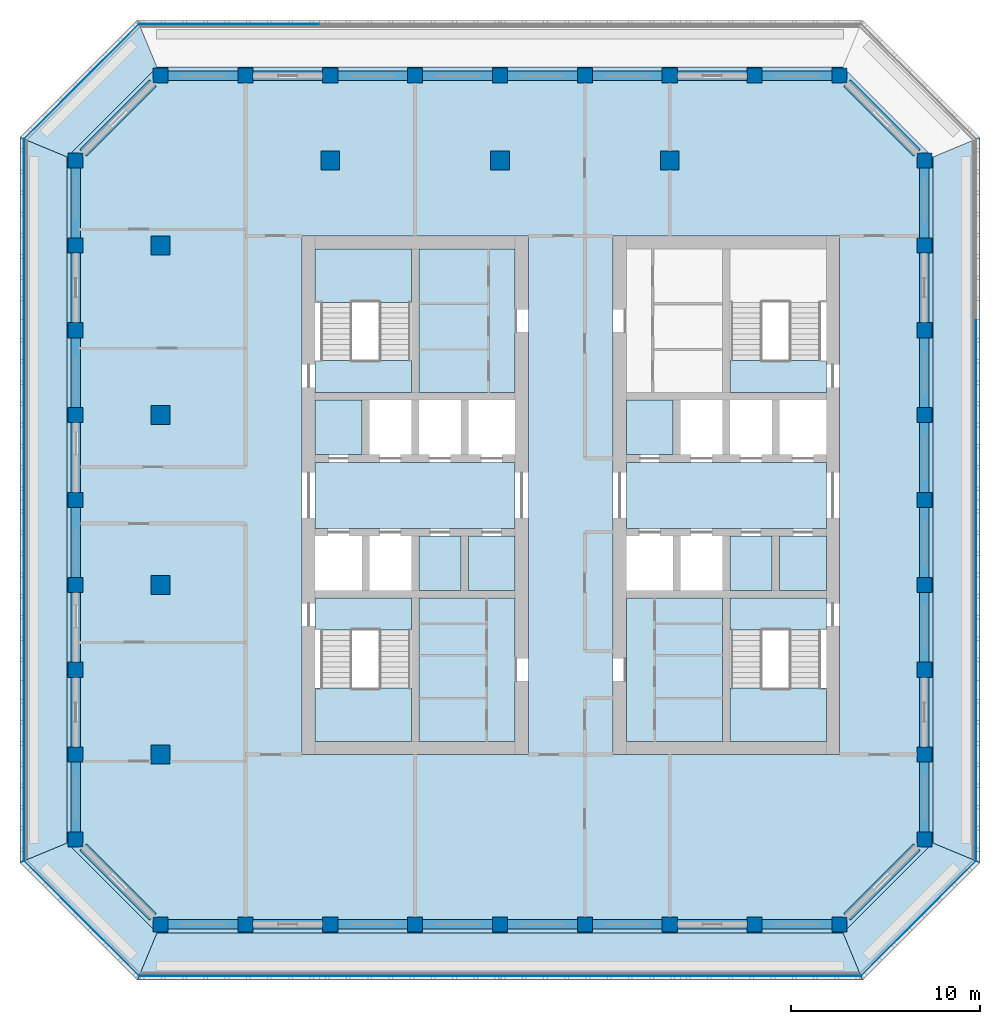
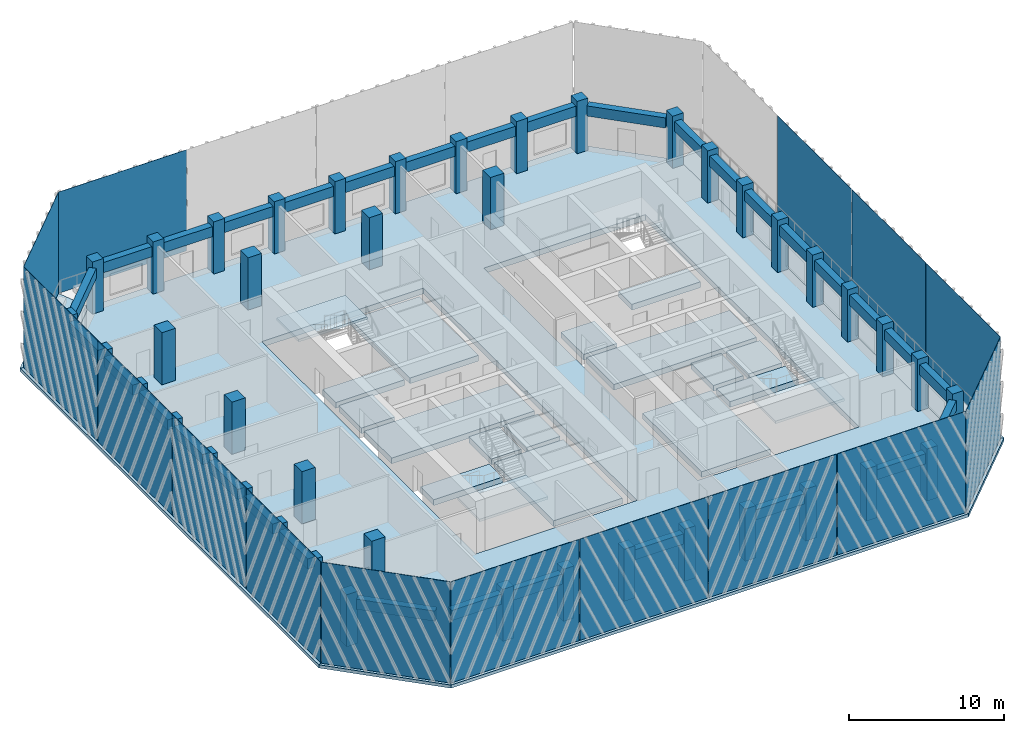
# One storey, part 1 of 15: 43 columns, 36 beams, 25 slabs, 15 plates, 3 elements without a shape of their own.
"""IFC4 building model written with IfcOpenShell, lengths in metres."""

from ifc_helpers import new_model, si_unit, direction, frame, origin, origin_2d, place, context, subcontext, project, spatial, polyline, rectangle, outline, extrude, material, layer, layer_set, material_profile, profile_set, type_object, element, aggregate, save


model = new_model("IFC4")

# Units and contexts
model_context = context("Model", 3, precision=1e-05, world=origin(), true_north=direction((0.0, 1.0)))
body_context = subcontext(model_context, "Body", "Model", "MODEL_VIEW")
ifc_project = project(units=[si_unit("LENGTHUNIT", "METRE"), si_unit("AREAUNIT", "SQUARE_METRE"), si_unit("VOLUMEUNIT", "CUBIC_METRE"), si_unit("PLANEANGLEUNIT", "RADIAN"), si_unit("MASSUNIT", "GRAM", prefix="KILO")], contexts=[model_context])

# Site, building, storey
site_placement = place(None, origin())
site = spatial("IfcSite", under=ifc_project, at=site_placement, CompositionType="ELEMENT")
building_placement = place(site_placement, origin())
building = spatial("IfcBuilding", under=site, at=building_placement, Name="Corbel Stack Research Tower", CompositionType="ELEMENT")
storey_placement = place(building_placement, frame((0.0, 0.0, 282.699951171875)))
storey = spatial("IfcBuildingStorey", under=building, at=storey_placement, Name="L64", CompositionType="ELEMENT", Elevation=282.699951171875)

# Columns
ifc_material_1 = material(Name="Concrete C60/75", Category="concrete")
ifc_material_profile_1 = material_profile(ifc_material_1, rectangle(XDim=1.0, YDim=1.0, at=origin_2d()), Name="RC 1000 x 1000")
ifc_profile_set_1 = profile_set([ifc_material_profile_1], Name="Concrete C60/75")
column_type_1 = type_object("IfcColumnType", Name="C-1000-60", PredefinedType="COLUMN", material=ifc_profile_set_1)
for number, where, z_axis, x_axis, name in (
    (1, (-18.0, -9.0, 0.0), (0.0, 0.0, 1.0), (1.0, 0.0, 0.0), "Column 4/F L64"),
    (2, (-18.0, 0.0, 0.0), (0.0, 0.0, 1.0), (1.0, 0.0, 0.0), "Column 4/H L64"),
    (3, (-18.0, 9.0, 0.0), (0.0, 0.0, 1.0), (1.0, 0.0, 0.0), "Column 4/K L64"),
    (4, (-18.0, 18.0, 0.0), (0.0, 0.0, 1.0), (1.0, 0.0, 0.0), "Column 4/M L64"),
    (5, (-9.0, 22.5, 0.0), (0.0, 0.0, 1.0), (1.0, 0.0, 0.0), "Column 6/N L64"),
    (6, (0.0, 22.5, 0.0), (0.0, 0.0, 1.0), (1.0, 0.0, 0.0), "Column 8/N L64"),
    (7, (9.0, 22.5, 0.0), (0.0, 0.0, 1.0), (1.0, 0.0, 0.0), "Column 10/N L64"),
):
    element("IfcColumn", number, at=place(storey_placement, frame(where, z_axis=z_axis, x_axis=x_axis)), inside=storey, type_object=column_type_1, Name=name, PredefinedType="COLUMN", context=body_context, shape_type="SweptSolid", body=[
        extrude(rectangle(XDim=1.0, YDim=1.0, at=origin_2d()), origin(), (0.0, 0.0, 1.0), 4.10009765625),
    ])
ifc_material_2 = material(Name="Concrete C60/75", Category="concrete")
ifc_material_profile_2 = material_profile(ifc_material_2, rectangle(XDim=0.800048828125, YDim=0.800048828125, at=origin_2d()), Name="RC 800 x 800")
ifc_profile_set_2 = profile_set([ifc_material_profile_2], Name="Concrete C60/75")
column_type_2 = type_object("IfcColumnType", Name="C-800-60", PredefinedType="COLUMN", material=ifc_profile_set_2)
for number, where, z_axis, x_axis, name in (
    (8, (-22.5, -13.5, 0.0), (0.0, 0.0, 1.0), (1.0, 0.0, 0.0), "Column 3/E L64"),
    (9, (-22.5, -9.0, 0.0), (0.0, 0.0, 1.0), (1.0, 0.0, 0.0), "Column 3/F L64"),
    (10, (-22.5, -4.5, 0.0), (0.0, 0.0, 1.0), (1.0, 0.0, 0.0), "Column 3/G L64"),
    (11, (-22.5, 0.0, 0.0), (0.0, 0.0, 1.0), (1.0, 0.0, 0.0), "Column 3/H L64"),
    (12, (-22.5, 4.5, 0.0), (0.0, 0.0, 1.0), (1.0, 0.0, 0.0), "Column 3/J L64"),
    (13, (-22.5, 9.0, 0.0), (0.0, 0.0, 1.0), (1.0, 0.0, 0.0), "Column 3/K L64"),
    (14, (-22.5, 13.5, 0.0), (0.0, 0.0, 1.0), (1.0, 0.0, 0.0), "Column 3/L L64"),
    (15, (-22.5, 18.0, 0.0), (0.0, 0.0, 1.0), (1.0, 0.0, 0.0), "Column 3/M L64"),
    (16, (-22.5, 22.5, 0.0), (0.0, 0.0, 1.0), (1.0, 0.0, 0.0), "Column 3/N L64"),
    (17, (-18.0, -18.0, 0.0), (0.0, 0.0, 1.0), (1.0, 0.0, 0.0), "Column 4/D L64"),
    (18, (-18.0, 27.0, 0.0), (0.0, 0.0, 1.0), (1.0, 0.0, 0.0), "Column 4/P L64"),
    (19, (-13.5, -18.0, 0.0), (0.0, 0.0, 1.0), (1.0, 0.0, 0.0), "Column 5/D L64"),
    (20, (-13.5, 27.0, 0.0), (0.0, 0.0, 1.0), (1.0, 0.0, 0.0), "Column 5/P L64"),
    (21, (-9.0, -18.0, 0.0), (0.0, 0.0, 1.0), (1.0, 0.0, 0.0), "Column 6/D L64"),
    (22, (-9.0, 27.0, 0.0), (0.0, 0.0, 1.0), (1.0, 0.0, 0.0), "Column 6/P L64"),
    (23, (-4.5, -18.0, 0.0), (0.0, 0.0, 1.0), (1.0, 0.0, 0.0), "Column 7/D L64"),
    (24, (-4.5, 27.0, 0.0), (0.0, 0.0, 1.0), (1.0, 0.0, 0.0), "Column 7/P L64"),
    (25, (0.0, -18.0, 0.0), (0.0, 0.0, 1.0), (1.0, 0.0, 0.0), "Column 8/D L64"),
    (26, (0.0, 27.0, 0.0), (0.0, 0.0, 1.0), (1.0, 0.0, 0.0), "Column 8/P L64"),
    (27, (4.5, -18.0, 0.0), (0.0, 0.0, 1.0), (1.0, 0.0, 0.0), "Column 9/D L64"),
    (28, (4.5, 27.0, 0.0), (0.0, 0.0, 1.0), (1.0, 0.0, 0.0), "Column 9/P L64"),
    (29, (9.0, -18.0, 0.0), (0.0, 0.0, 1.0), (1.0, 0.0, 0.0), "Column 10/D L64"),
    (30, (9.0, 27.0, 0.0), (0.0, 0.0, 1.0), (1.0, 0.0, 0.0), "Column 10/P L64"),
    (31, (13.5, -18.0, 0.0), (0.0, 0.0, 1.0), (1.0, 0.0, 0.0), "Column 11/D L64"),
    (32, (13.5, 27.0, 0.0), (0.0, 0.0, 1.0), (1.0, 0.0, 0.0), "Column 11/P L64"),
    (33, (18.0, -18.0, 0.0), (0.0, 0.0, 1.0), (1.0, 0.0, 0.0), "Column 12/D L64"),
    (34, (18.0, 27.0, 0.0), (0.0, 0.0, 1.0), (1.0, 0.0, 0.0), "Column 12/P L64"),
    (35, (22.5, -13.5, 0.0), (0.0, 0.0, 1.0), (1.0, 0.0, 0.0), "Column 13/E L64"),
    (36, (22.5, -9.0, 0.0), (0.0, 0.0, 1.0), (1.0, 0.0, 0.0), "Column 13/F L64"),
    (37, (22.5, -4.5, 0.0), (0.0, 0.0, 1.0), (1.0, 0.0, 0.0), "Column 13/G L64"),
    (38, (22.5, 0.0, 0.0), (0.0, 0.0, 1.0), (1.0, 0.0, 0.0), "Column 13/H L64"),
    (39, (22.5, 4.5, 0.0), (0.0, 0.0, 1.0), (1.0, 0.0, 0.0), "Column 13/J L64"),
    (40, (22.5, 9.0, 0.0), (0.0, 0.0, 1.0), (1.0, 0.0, 0.0), "Column 13/K L64"),
    (41, (22.5, 13.5, 0.0), (0.0, 0.0, 1.0), (1.0, 0.0, 0.0), "Column 13/L L64"),
    (42, (22.5, 18.0, 0.0), (0.0, 0.0, 1.0), (1.0, 0.0, 0.0), "Column 13/M L64"),
    (43, (22.5, 22.5, 0.0), (0.0, 0.0, 1.0), (1.0, 0.0, 0.0), "Column 13/N L64"),
):
    element("IfcColumn", number, at=place(storey_placement, frame(where, z_axis=z_axis, x_axis=x_axis)), inside=storey, type_object=column_type_2, Name=name, PredefinedType="COLUMN", context=body_context, shape_type="SweptSolid", body=[
        extrude(rectangle(XDim=0.800048828125, YDim=0.800048828125, at=origin_2d()), origin(), (0.0, 0.0, 1.0), 4.10009765625),
    ])

# Beams
ifc_material_3 = material(Name="Concrete C60/75", Category="concrete")
ifc_material_profile_3 = material_profile(ifc_material_3, rectangle(XDim=0.5, YDim=0.800048828125, at=origin_2d()), Name="RC 500 x 800")
ifc_profile_set_3 = profile_set([ifc_material_profile_3], Name="Concrete C60/75")
beam_type = type_object("IfcBeamType", Name="SB-500-800-450", PredefinedType="SPANDREL", material=ifc_profile_set_3)
for number, where, z_axis, x_axis, name in (
    (44, (-17.60009765625, -18.0, 3.25), (1.0, 0.0, 0.0), (0.0, 1.0, 0.0), "Spandrel beam L64-01"),
    (45, (-13.10009765625, -18.0, 3.25), (1.0, 0.0, 0.0), (0.0, 1.0, 0.0), "Spandrel beam L64-02"),
    (46, (-8.60009765625, -18.0, 3.25), (1.0, 0.0, 0.0), (0.0, 1.0, 0.0), "Spandrel beam L64-03"),
    (47, (-4.10009765625, -18.0, 3.25), (1.0, 0.0, 0.0), (0.0, 1.0, 0.0), "Spandrel beam L64-04"),
    (48, (0.39990234375, -18.0, 3.25), (1.0, 0.0, 0.0), (0.0, 1.0, 0.0), "Spandrel beam L64-05"),
    (49, (4.89990234375, -18.0, 3.25), (1.0, 0.0, 0.0), (0.0, 1.0, 0.0), "Spandrel beam L64-06"),
    (50, (9.39990234375, -18.0, 3.25), (1.0, 0.0, 0.0), (0.0, 1.0, 0.0), "Spandrel beam L64-07"),
    (51, (13.89990234375, -18.0, 3.25), (1.0, 0.0, 0.0), (0.0, 1.0, 0.0), "Spandrel beam L64-08"),
):
    element("IfcBeam", number, at=place(storey_placement, frame(where, z_axis=z_axis, x_axis=x_axis)), inside=storey, type_object=beam_type, Name=name, PredefinedType="SPANDREL", context=body_context, shape_type="SweptSolid", body=[
        extrude(rectangle(XDim=0.5, YDim=0.800048828125, at=origin_2d()), origin(), (0.0, 0.0, 1.0), 3.7001953125),
    ])
beam_1_placement = place(storey_placement, frame((18.39990234375, -17.60009765625, 3.25), z_axis=(0.707106781187, 0.707106781187, 0.0), x_axis=(-0.707106781187, 0.707106781187, 0.0)))
element("IfcBeam", 52, at=beam_1_placement, inside=storey, type_object=beam_type, Name="Spandrel beam L64-09", PredefinedType="SPANDREL", context=body_context, shape_type="SweptSolid", body=[
    extrude(rectangle(XDim=0.5, YDim=0.800048828125, at=origin_2d()), origin(), (0.0, 0.0, 1.0), 5.23291015625),
])
for number, where, z_axis, x_axis, name in (
    (53, (22.5, -13.10009765625, 3.25), (0.0, 1.0, 0.0), (-1.0, 0.0, 0.0), "Spandrel beam L64-10"),
    (54, (22.5, -8.60009765625, 3.25), (0.0, 1.0, 0.0), (-1.0, 0.0, 0.0), "Spandrel beam L64-11"),
    (55, (22.5, -4.10009765625, 3.25), (0.0, 1.0, 0.0), (-1.0, 0.0, 0.0), "Spandrel beam L64-12"),
    (56, (22.5, 0.39990234375, 3.25), (0.0, 1.0, 0.0), (-1.0, 0.0, 0.0), "Spandrel beam L64-13"),
    (57, (22.5, 4.89990234375, 3.25), (0.0, 1.0, 0.0), (-1.0, 0.0, 0.0), "Spandrel beam L64-14"),
    (58, (22.5, 9.39990234375, 3.25), (0.0, 1.0, 0.0), (-1.0, 0.0, 0.0), "Spandrel beam L64-15"),
    (59, (22.5, 13.89990234375, 3.25), (0.0, 1.0, 0.0), (-1.0, 0.0, 0.0), "Spandrel beam L64-16"),
    (60, (22.5, 18.39990234375, 3.25), (0.0, 1.0, 0.0), (-1.0, 0.0, 0.0), "Spandrel beam L64-17"),
):
    element("IfcBeam", number, at=place(storey_placement, frame(where, z_axis=z_axis, x_axis=x_axis)), inside=storey, type_object=beam_type, Name=name, PredefinedType="SPANDREL", context=body_context, shape_type="SweptSolid", body=[
        extrude(rectangle(XDim=0.5, YDim=0.800048828125, at=origin_2d()), origin(), (0.0, 0.0, 1.0), 3.7001953125),
    ])
beam_2_placement = place(storey_placement, frame((22.10009765625, 22.89990234375, 3.25), z_axis=(-0.707106781187, 0.707106781187, 0.0), x_axis=(-0.707106781187, -0.707106781187, 0.0)))
element("IfcBeam", 61, at=beam_2_placement, inside=storey, type_object=beam_type, Name="Spandrel beam L64-18", PredefinedType="SPANDREL", context=body_context, shape_type="SweptSolid", body=[
    extrude(rectangle(XDim=0.5, YDim=0.800048828125, at=origin_2d()), origin(), (0.0, 0.0, 1.0), 5.23291015625),
])
for number, where, z_axis, x_axis, name in (
    (62, (17.60009765625, 27.0, 3.25), (-1.0, 0.0, 0.0), (0.0, -1.0, 0.0), "Spandrel beam L64-19"),
    (63, (13.10009765625, 27.0, 3.25), (-1.0, 0.0, 0.0), (0.0, -1.0, 0.0), "Spandrel beam L64-20"),
    (64, (8.60009765625, 27.0, 3.25), (-1.0, 0.0, 0.0), (0.0, -1.0, 0.0), "Spandrel beam L64-21"),
    (65, (4.10009765625, 27.0, 3.25), (-1.0, 0.0, 0.0), (0.0, -1.0, 0.0), "Spandrel beam L64-22"),
    (66, (-0.39990234375, 27.0, 3.25), (-1.0, 0.0, 0.0), (0.0, -1.0, 0.0), "Spandrel beam L64-23"),
    (67, (-4.89990234375, 27.0, 3.25), (-1.0, 0.0, 0.0), (0.0, -1.0, 0.0), "Spandrel beam L64-24"),
    (68, (-9.39990234375, 27.0, 3.25), (-1.0, 0.0, 0.0), (0.0, -1.0, 0.0), "Spandrel beam L64-25"),
    (69, (-13.89990234375, 27.0, 3.25), (-1.0, 0.0, 0.0), (0.0, -1.0, 0.0), "Spandrel beam L64-26"),
):
    element("IfcBeam", number, at=place(storey_placement, frame(where, z_axis=z_axis, x_axis=x_axis)), inside=storey, type_object=beam_type, Name=name, PredefinedType="SPANDREL", context=body_context, shape_type="SweptSolid", body=[
        extrude(rectangle(XDim=0.5, YDim=0.800048828125, at=origin_2d()), origin(), (0.0, 0.0, 1.0), 3.7001953125),
    ])
beam_3_placement = place(storey_placement, frame((-18.39990234375, 26.60009765625, 3.25), z_axis=(-0.707106781187, -0.707106781187, 0.0), x_axis=(0.707106781187, -0.707106781187, 0.0)))
element("IfcBeam", 70, at=beam_3_placement, inside=storey, type_object=beam_type, Name="Spandrel beam L64-27", PredefinedType="SPANDREL", context=body_context, shape_type="SweptSolid", body=[
    extrude(rectangle(XDim=0.5, YDim=0.800048828125, at=origin_2d()), origin(), (0.0, 0.0, 1.0), 5.23291015625),
])
for number, where, z_axis, x_axis, name in (
    (71, (-22.5, 22.10009765625, 3.25), (0.0, -1.0, 0.0), (1.0, 0.0, 0.0), "Spandrel beam L64-28"),
    (72, (-22.5, 17.60009765625, 3.25), (0.0, -1.0, 0.0), (1.0, 0.0, 0.0), "Spandrel beam L64-29"),
    (73, (-22.5, 13.10009765625, 3.25), (0.0, -1.0, 0.0), (1.0, 0.0, 0.0), "Spandrel beam L64-30"),
    (74, (-22.5, 8.60009765625, 3.25), (0.0, -1.0, 0.0), (1.0, 0.0, 0.0), "Spandrel beam L64-31"),
    (75, (-22.5, 4.10009765625, 3.25), (0.0, -1.0, 0.0), (1.0, 0.0, 0.0), "Spandrel beam L64-32"),
    (76, (-22.5, -0.39990234375, 3.25), (0.0, -1.0, 0.0), (1.0, 0.0, 0.0), "Spandrel beam L64-33"),
    (77, (-22.5, -4.89990234375, 3.25), (0.0, -1.0, 0.0), (1.0, 0.0, 0.0), "Spandrel beam L64-34"),
    (78, (-22.5, -9.39990234375, 3.25), (0.0, -1.0, 0.0), (1.0, 0.0, 0.0), "Spandrel beam L64-35"),
):
    element("IfcBeam", number, at=place(storey_placement, frame(where, z_axis=z_axis, x_axis=x_axis)), inside=storey, type_object=beam_type, Name=name, PredefinedType="SPANDREL", context=body_context, shape_type="SweptSolid", body=[
        extrude(rectangle(XDim=0.5, YDim=0.800048828125, at=origin_2d()), origin(), (0.0, 0.0, 1.0), 3.7001953125),
    ])
beam_4_placement = place(storey_placement, frame((-22.10009765625, -13.89990234375, 3.25), z_axis=(0.707106781187, -0.707106781187, 0.0), x_axis=(0.707106781187, 0.707106781187, 0.0)))
element("IfcBeam", 79, at=beam_4_placement, inside=storey, type_object=beam_type, Name="Spandrel beam L64-36", PredefinedType="SPANDREL", context=body_context, shape_type="SweptSolid", body=[
    extrude(rectangle(XDim=0.5, YDim=0.800048828125, at=origin_2d()), origin(), (0.0, 0.0, 1.0), 5.23291015625),
])

# Plates
ifc_material_4 = material(Name="Fritted glass", Category="glass")
ifc_layer_1 = layer(ifc_material_4, 0.02490234375)
ifc_layer_set_1 = layer_set([ifc_layer_1], Name="Fritted glass")
plate_type = type_object("IfcPlateType", Name="Fritted glass panel 25", PredefinedType="SHEET", material=ifc_layer_set_1)
for number, where, z_axis, x_axis, name in (
    (80, (-14.354248046875, -20.737548828125, 0.0), (0.0, 0.0, 1.0), (1.0, 0.0, 0.0), "Fritted glass L64 S1"),
    (81, (-4.784912109375, -20.737548828125, 0.0), (0.0, 0.0, 1.0), (1.0, 0.0, 0.0), "Fritted glass L64 S2"),
    (82, (4.784912109375, -20.737548828125, 0.0), (0.0, 0.0, 1.0), (1.0, 0.0, 0.0), "Fritted glass L64 S3"),
    (83, (14.354248046875, -20.737548828125, 0.0), (0.0, 0.0, 1.0), (1.0, 0.0, 0.0), "Fritted glass L64 S4"),
):
    element("IfcPlate", number, at=place(storey_placement, frame(where, z_axis=z_axis, x_axis=x_axis)), inside=storey, type_object=plate_type, Name=name, PredefinedType="SHEET", context=body_context, shape_type="SweptSolid", body=[
        extrude(rectangle(XDim=9.509521484375, YDim=0.02490234375, at=origin_2d()), origin(), (0.0, 0.0, 1.0), 7.949951171875),
    ])
plate_1_placement = place(storey_placement, frame((22.185791015625, -17.685791015625, 0.0), z_axis=(0.0, 0.0, 1.0), x_axis=(0.707106781187, 0.707106781187, 0.0)))
element("IfcPlate", 84, at=plate_1_placement, inside=storey, type_object=plate_type, Name="Fritted glass L64 SE1", PredefinedType="SHEET", context=body_context, shape_type="SweptSolid", body=[
    extrude(rectangle(XDim=8.58203125, YDim=0.02490234375, at=origin_2d()), origin(), (0.0, 0.0, 1.0), 7.949951171875),
])
for number, where, z_axis, x_axis, name in (
    (85, (25.237548828125, -9.854248046875, 0.0), (0.0, 0.0, 1.0), (0.0, 1.0, 0.0), "Fritted glass L64 E1"),
    (86, (25.237548828125, -0.284912109375, 0.0), (0.0, 0.0, 1.0), (0.0, 1.0, 0.0), "Fritted glass L64 E2"),
    (87, (25.237548828125, 9.284912109375, 0.0), (0.0, 0.0, 1.0), (0.0, 1.0, 0.0), "Fritted glass L64 E3"),
    (88, (-14.354248046875, 29.737548828125, 0.0), (0.0, 0.0, 1.0), (-1.0, 0.0, 0.0), "Fritted glass L64 N4"),
):
    element("IfcPlate", number, at=place(storey_placement, frame(where, z_axis=z_axis, x_axis=x_axis)), inside=storey, type_object=plate_type, Name=name, PredefinedType="SHEET", context=body_context, shape_type="SweptSolid", body=[
        extrude(rectangle(XDim=9.509521484375, YDim=0.02490234375, at=origin_2d()), origin(), (0.0, 0.0, 1.0), 7.949951171875),
    ])
plate_2_placement = place(storey_placement, frame((-22.185791015625, 26.685791015625, 0.0), z_axis=(0.0, 0.0, 1.0), x_axis=(-0.707106781187, -0.707106781187, 0.0)))
element("IfcPlate", 89, at=plate_2_placement, inside=storey, type_object=plate_type, Name="Fritted glass L64 NW1", PredefinedType="SHEET", context=body_context, shape_type="SweptSolid", body=[
    extrude(rectangle(XDim=8.58203125, YDim=0.02490234375, at=origin_2d()), origin(), (0.0, 0.0, 1.0), 7.949951171875),
])
for number, where, z_axis, x_axis, name in (
    (90, (-25.237548828125, 18.854248046875, 0.0), (0.0, 0.0, 1.0), (0.0, -1.0, 0.0), "Fritted glass L64 W1"),
    (91, (-25.237548828125, 9.284912109375, 0.0), (0.0, 0.0, 1.0), (0.0, -1.0, 0.0), "Fritted glass L64 W2"),
    (92, (-25.237548828125, -0.284912109375, 0.0), (0.0, 0.0, 1.0), (0.0, -1.0, 0.0), "Fritted glass L64 W3"),
    (93, (-25.237548828125, -9.854248046875, 0.0), (0.0, 0.0, 1.0), (0.0, -1.0, 0.0), "Fritted glass L64 W4"),
):
    element("IfcPlate", number, at=place(storey_placement, frame(where, z_axis=z_axis, x_axis=x_axis)), inside=storey, type_object=plate_type, Name=name, PredefinedType="SHEET", context=body_context, shape_type="SweptSolid", body=[
        extrude(rectangle(XDim=9.509521484375, YDim=0.02490234375, at=origin_2d()), origin(), (0.0, 0.0, 1.0), 7.949951171875),
    ])
plate_3_placement = place(storey_placement, frame((-22.185791015625, -17.685791015625, 0.0), z_axis=(0.0, 0.0, 1.0), x_axis=(0.707106781187, -0.707106781187, 0.0)))
element("IfcPlate", 94, at=plate_3_placement, inside=storey, type_object=plate_type, Name="Fritted glass L64 SW1", PredefinedType="SHEET", context=body_context, shape_type="SweptSolid", body=[
    extrude(rectangle(XDim=8.58203125, YDim=0.02490234375, at=origin_2d()), origin(), (0.0, 0.0, 1.0), 7.949951171875),
])

# Slabs
ifc_material_5 = material(Name="Concrete C45/55", Category="concrete")
ifc_layer_2 = layer(ifc_material_5, 0.25)
ifc_layer_set_2 = layer_set([ifc_layer_2], Name="Concrete C45/55")
slab_type_1 = type_object("IfcSlabType", Name="PT balcony slab 250 C45/55", PredefinedType="FLOOR", material=ifc_layer_set_2)
slab_1_placement = place(storey_placement, frame((0.0, 0.0, -0.25)))
element("IfcSlab", 95, at=slab_1_placement, inside=storey, type_object=slab_type_1, Name="Loggia slab L64 S", PredefinedType="FLOOR", context=body_context, shape_type="SweptSolid", body=[
    extrude(outline(polyline([(18.186279296875, -18.449951171875), (-18.186279296875, -18.449951171875), (-19.221923828125, -20.949951171875), (19.221923828125, -20.949951171875), (18.186279296875, -18.449951171875)])), origin(), (0.0, 0.0, 1.0), 0.25),
])
slab_2_placement = place(storey_placement, frame((0.0, 0.0, -0.25)))
element("IfcSlab", 96, at=slab_2_placement, inside=storey, type_object=slab_type_1, Name="Loggia slab L64 SE", PredefinedType="FLOOR", context=body_context, shape_type="SweptSolid", body=[
    extrude(outline(polyline([(22.949951171875, -13.686279296875), (22.89990234375, -13.736328125), (22.89990234375, -13.89990234375), (22.736328125, -13.89990234375), (18.39990234375, -18.236328125), (18.39990234375, -18.39990234375), (18.236328125, -18.39990234375), (18.186279296875, -18.449951171875), (19.221923828125, -20.949951171875), (25.449951171875, -14.721923828125), (22.949951171875, -13.686279296875)])), origin(), (0.0, 0.0, 1.0), 0.25),
])
slab_3_placement = place(storey_placement, frame((0.0, 0.0, -0.25)))
element("IfcSlab", 97, at=slab_3_placement, inside=storey, type_object=slab_type_1, Name="Loggia slab L64 E", PredefinedType="FLOOR", context=body_context, shape_type="SweptSolid", body=[
    extrude(outline(polyline([(22.949951171875, 22.686279296875), (22.949951171875, -13.686279296875), (25.449951171875, -14.721923828125), (25.449951171875, 23.721923828125), (22.949951171875, 22.686279296875)])), origin(), (0.0, 0.0, 1.0), 0.25),
])
slab_4_placement = place(storey_placement, frame((0.0, 0.0, -0.25)))
element("IfcSlab", 98, at=slab_4_placement, inside=storey, type_object=slab_type_1, Name="Loggia slab L64 NW", PredefinedType="FLOOR", context=body_context, shape_type="SweptSolid", body=[
    extrude(outline(polyline([(-22.949951171875, 22.686279296875), (-22.89990234375, 22.736328125), (-22.89990234375, 22.89990234375), (-22.736328125, 22.89990234375), (-18.39990234375, 27.236328125), (-18.39990234375, 27.39990234375), (-18.236328125, 27.39990234375), (-18.186279296875, 27.449951171875), (-19.221923828125, 29.949951171875), (-25.449951171875, 23.721923828125), (-22.949951171875, 22.686279296875)])), origin(), (0.0, 0.0, 1.0), 0.25),
])
slab_5_placement = place(storey_placement, frame((0.0, 0.0, -0.25)))
element("IfcSlab", 99, at=slab_5_placement, inside=storey, type_object=slab_type_1, Name="Loggia slab L64 W", PredefinedType="FLOOR", context=body_context, shape_type="SweptSolid", body=[
    extrude(outline(polyline([(-22.949951171875, -13.686279296875), (-22.949951171875, 22.686279296875), (-25.449951171875, 23.721923828125), (-25.449951171875, -14.721923828125), (-22.949951171875, -13.686279296875)])), origin(), (0.0, 0.0, 1.0), 0.25),
])
slab_6_placement = place(storey_placement, frame((0.0, 0.0, -0.25)))
element("IfcSlab", 100, at=slab_6_placement, inside=storey, type_object=slab_type_1, Name="Loggia slab L64 SW", PredefinedType="FLOOR", context=body_context, shape_type="SweptSolid", body=[
    extrude(outline(polyline([(-18.186279296875, -18.449951171875), (-18.236328125, -18.39990234375), (-18.39990234375, -18.39990234375), (-18.39990234375, -18.236328125), (-22.736328125, -13.89990234375), (-22.89990234375, -13.89990234375), (-22.89990234375, -13.736328125), (-22.949951171875, -13.686279296875), (-25.449951171875, -14.721923828125), (-19.221923828125, -20.949951171875), (-18.186279296875, -18.449951171875)])), origin(), (0.0, 0.0, 1.0), 0.25),
])
ifc_material_6 = material(Name="Concrete C45/55", Category="concrete")
ifc_layer_3 = layer(ifc_material_6, 0.449951171875)
ifc_layer_set_3 = layer_set([ifc_layer_3], Name="Concrete C45/55")
slab_type_2 = type_object("IfcSlabType", Name="PT-450", PredefinedType="FLOOR", material=ifc_layer_set_3)
slab_7_placement = place(storey_placement, frame((0.0, 0.0, -0.449951171875)))
element("IfcSlab", 101, at=slab_7_placement, inside=storey, type_object=slab_type_2, Name="Floor slab L64", PredefinedType="FLOOR", context=body_context, shape_type="SweptSolid", body=[
    extrude(outline(polyline([(-18.186279296875, -18.449951171875), (18.186279296875, -18.449951171875), (22.949951171875, -13.686279296875), (22.949951171875, 22.686279296875), (18.186279296875, 27.449951171875), (-18.186279296875, 27.449951171875), (-22.949951171875, 22.686279296875), (-22.949951171875, -13.686279296875), (-18.186279296875, -18.449951171875)]), holes=[polyline([(18.0, 18.5), (18.0, -9.0), (6.0, -9.0), (6.0, 18.5), (18.0, 18.5)]), polyline([(9.5, 22.0), (8.5, 22.0), (8.5, 23.0), (9.5, 23.0), (9.5, 22.0)]), polyline([(1.5, 18.5), (1.5, -9.0), (-10.5, -9.0), (-10.5, 18.5), (1.5, 18.5)]), polyline([(0.5, 22.0), (-0.5, 22.0), (-0.5, 23.0), (0.5, 23.0), (0.5, 22.0)]), polyline([(-8.5, 23.0), (-8.5, 22.0), (-9.5, 22.0), (-9.5, 23.0), (-8.5, 23.0)]), polyline([(-17.5, -8.5), (-17.5, -9.5), (-18.5, -9.5), (-18.5, -8.5), (-17.5, -8.5)]), polyline([(-17.5, 0.5), (-17.5, -0.5), (-18.5, -0.5), (-18.5, 0.5), (-17.5, 0.5)]), polyline([(-17.5, 9.5), (-17.5, 8.5), (-18.5, 8.5), (-18.5, 9.5), (-17.5, 9.5)]), polyline([(-17.5, 18.5), (-17.5, 17.5), (-18.5, 17.5), (-18.5, 18.5), (-17.5, 18.5)])]), origin(), (0.0, 0.0, 1.0), 0.449951171875),
])
slab_8_placement = place(storey_placement, frame((0.0, 0.0, -0.449951171875)))
element("IfcSlab", 102, at=slab_8_placement, inside=storey, type_object=slab_type_2, Name="West core floor L64", PredefinedType="FLOOR", context=body_context, shape_type="SweptSolid", body=[
    extrude(outline(polyline([(-9.800048828125, 6.5), (-9.800048828125, 3.0), (0.800048828125, 3.0), (0.800048828125, 6.5), (-9.800048828125, 6.5)])), origin(), (0.0, 0.0, 1.0), 0.449951171875),
])
slab_9_placement = place(storey_placement, frame((0.0, 0.0, -0.449951171875)))
element("IfcSlab", 103, at=slab_9_placement, inside=storey, type_object=slab_type_2, Name="West core floor L64", PredefinedType="FLOOR", context=body_context, shape_type="SweptSolid", body=[
    extrude(outline(polyline([(-9.800048828125, 6.89990234375), (-7.324951171875, 6.89990234375), (-7.324951171875, 9.800048828125), (-9.800048828125, 9.800048828125), (-9.800048828125, 6.89990234375)])), origin(), (0.0, 0.0, 1.0), 0.449951171875),
])
slab_10_placement = place(storey_placement, frame((0.0, 0.0, -0.449951171875)))
element("IfcSlab", 104, at=slab_10_placement, inside=storey, type_object=slab_type_2, Name="West core floor L64", PredefinedType="FLOOR", context=body_context, shape_type="SweptSolid", body=[
    extrude(outline(polyline([(-4.300048828125, -0.699951171875), (-4.300048828125, -8.300048828125), (0.800048828125, -8.300048828125), (0.800048828125, -0.699951171875), (-4.300048828125, -0.699951171875)])), origin(), (0.0, 0.0, 1.0), 0.449951171875),
])
slab_11_placement = place(storey_placement, frame((0.0, 0.0, -0.449951171875)))
element("IfcSlab", 105, at=slab_11_placement, inside=storey, type_object=slab_type_2, Name="West core floor L64", PredefinedType="FLOOR", context=body_context, shape_type="SweptSolid", body=[
    extrude(outline(polyline([(-4.300048828125, 2.60009765625), (-4.300048828125, -0.300048828125), (-2.074951171875, -0.300048828125), (-2.074951171875, 2.60009765625), (-4.300048828125, 2.60009765625)])), origin(), (0.0, 0.0, 1.0), 0.449951171875),
])
slab_12_placement = place(storey_placement, frame((0.0, 0.0, -0.449951171875)))
element("IfcSlab", 106, at=slab_12_placement, inside=storey, type_object=slab_type_2, Name="West core floor L64", PredefinedType="FLOOR", context=body_context, shape_type="SweptSolid", body=[
    extrude(outline(polyline([(-4.300048828125, 17.800048828125), (-4.300048828125, 10.199951171875), (0.800048828125, 10.199951171875), (0.800048828125, 17.800048828125), (-4.300048828125, 17.800048828125)])), origin(), (0.0, 0.0, 1.0), 0.449951171875),
])
slab_13_placement = place(storey_placement, frame((0.0, 0.0, -0.449951171875)))
element("IfcSlab", 107, at=slab_13_placement, inside=storey, type_object=slab_type_2, Name="West core floor L64", PredefinedType="FLOOR", context=body_context, shape_type="SweptSolid", body=[
    extrude(outline(polyline([(-1.675048828125, 2.60009765625), (-1.675048828125, -0.300048828125), (0.800048828125, -0.300048828125), (0.800048828125, 2.60009765625), (-1.675048828125, 2.60009765625)])), origin(), (0.0, 0.0, 1.0), 0.449951171875),
])
slab_14_placement = place(storey_placement, frame((0.0, 0.0, -0.449951171875)))
element("IfcSlab", 108, at=slab_14_placement, inside=storey, type_object=slab_type_2, Name="East core floor L64", PredefinedType="FLOOR", context=body_context, shape_type="SweptSolid", body=[
    extrude(outline(polyline([(6.699951171875, -8.300048828125), (11.800048828125, -8.300048828125), (11.800048828125, -0.699951171875), (6.699951171875, -0.699951171875), (6.699951171875, -8.300048828125)])), origin(), (0.0, 0.0, 1.0), 0.449951171875),
])
slab_15_placement = place(storey_placement, frame((0.0, 0.0, -0.449951171875)))
element("IfcSlab", 109, at=slab_15_placement, inside=storey, type_object=slab_type_2, Name="East core floor L64", PredefinedType="FLOOR", context=body_context, shape_type="SweptSolid", body=[
    extrude(outline(polyline([(6.699951171875, 3.0), (17.300048828125, 3.0), (17.300048828125, 6.5), (6.699951171875, 6.5), (6.699951171875, 3.0)])), origin(), (0.0, 0.0, 1.0), 0.449951171875),
])
slab_16_placement = place(storey_placement, frame((0.0, 0.0, -0.449951171875)))
element("IfcSlab", 110, at=slab_16_placement, inside=storey, type_object=slab_type_2, Name="East core floor L64", PredefinedType="FLOOR", context=body_context, shape_type="SweptSolid", body=[
    extrude(outline(polyline([(6.699951171875, 6.89990234375), (9.175048828125, 6.89990234375), (9.175048828125, 9.800048828125), (6.699951171875, 9.800048828125), (6.699951171875, 6.89990234375)])), origin(), (0.0, 0.0, 1.0), 0.449951171875),
])
slab_17_placement = place(storey_placement, frame((0.0, 0.0, -0.449951171875)))
element("IfcSlab", 111, at=slab_17_placement, inside=storey, type_object=slab_type_2, Name="East core floor L64", PredefinedType="FLOOR", context=body_context, shape_type="SweptSolid", body=[
    extrude(outline(polyline([(12.199951171875, 2.60009765625), (12.199951171875, -0.300048828125), (14.425048828125, -0.300048828125), (14.425048828125, 2.60009765625), (12.199951171875, 2.60009765625)])), origin(), (0.0, 0.0, 1.0), 0.449951171875),
])
slab_18_placement = place(storey_placement, frame((0.0, 0.0, -0.449951171875)))
element("IfcSlab", 112, at=slab_18_placement, inside=storey, type_object=slab_type_2, Name="East core floor L64", PredefinedType="FLOOR", context=body_context, shape_type="SweptSolid", body=[
    extrude(outline(polyline([(14.824951171875, 2.60009765625), (14.824951171875, -0.300048828125), (17.300048828125, -0.300048828125), (17.300048828125, 2.60009765625), (14.824951171875, 2.60009765625)])), origin(), (0.0, 0.0, 1.0), 0.449951171875),
])
slab_19_placement = place(storey_placement, frame((0.0, 0.0, -0.449951171875)))
element("IfcSlab", 113, at=slab_19_placement, inside=storey, type_object=slab_type_2, Name="Stair floor landing ST-W1", PredefinedType="FLOOR", context=body_context, shape_type="SweptSolid", body=[
    extrude(outline(polyline([(-9.800048828125, -2.39990234375), (-4.699951171875, -2.39990234375), (-4.699951171875, -0.699951171875), (-9.800048828125, -0.699951171875), (-9.800048828125, -2.39990234375)])), origin(), (0.0, 0.0, 1.0), 0.449951171875),
])
slab_20_placement = place(storey_placement, frame((0.0, 0.0, -0.449951171875)))
element("IfcSlab", 114, at=slab_20_placement, inside=storey, type_object=slab_type_2, Name="Stair floor landing ST-W2", PredefinedType="FLOOR", context=body_context, shape_type="SweptSolid", body=[
    extrude(outline(polyline([(-9.800048828125, 10.199951171875), (-4.699951171875, 10.199951171875), (-4.699951171875, 11.89990234375), (-9.800048828125, 11.89990234375), (-9.800048828125, 10.199951171875)])), origin(), (0.0, 0.0, 1.0), 0.449951171875),
])
slab_21_placement = place(storey_placement, frame((0.0, 0.0, -0.449951171875)))
element("IfcSlab", 115, at=slab_21_placement, inside=storey, type_object=slab_type_2, Name="Stair floor landing ST-E1", PredefinedType="FLOOR", context=body_context, shape_type="SweptSolid", body=[
    extrude(outline(polyline([(12.199951171875, -2.39990234375), (17.300048828125, -2.39990234375), (17.300048828125, -0.699951171875), (12.199951171875, -0.699951171875), (12.199951171875, -2.39990234375)])), origin(), (0.0, 0.0, 1.0), 0.449951171875),
])
slab_22_placement = place(storey_placement, frame((0.0, 0.0, -0.449951171875)))
element("IfcSlab", 116, at=slab_22_placement, inside=storey, type_object=slab_type_2, Name="Stair floor landing ST-E2", PredefinedType="FLOOR", context=body_context, shape_type="SweptSolid", body=[
    extrude(outline(polyline([(12.199951171875, 10.199951171875), (17.300048828125, 10.199951171875), (17.300048828125, 11.89990234375), (12.199951171875, 11.89990234375), (12.199951171875, 10.199951171875)])), origin(), (0.0, 0.0, 1.0), 0.449951171875),
])

# Stair, slab
ifc_material_7 = material(Name="Concrete C40/50", Category="concrete")
stair_type = type_object("IfcStairType", Name="Exit stair 24 risers", PredefinedType="HALF_TURN_STAIR", material=ifc_material_7)
stair_1_placement = place(storey_placement, origin())
stair_1 = element("IfcStair", 117, at=stair_1_placement, inside=storey, type_object=stair_type, Name="L64 Exit stair ST-W1", PredefinedType="HALF_TURN_STAIR")
ifc_material_8 = material(Name="Concrete C40/50", Category="concrete")
ifc_layer_4 = layer(ifc_material_8, 0.199951171875)
ifc_layer_set_4 = layer_set([ifc_layer_4], Name="Concrete C40/50")
slab_type_3 = type_object("IfcSlabType", Name="Stair landing 200 C40/50", PredefinedType="LANDING", material=ifc_layer_set_4)
slab_23_placement = place(storey_placement, frame((0.0, 0.0, 1.85009765625)))
slab_23 = element("IfcSlab", 118, at=slab_23_placement, type_object=slab_type_3, Name="ST-W1 landing 1", PredefinedType="LANDING", context=body_context, shape_type="SweptSolid", body=[
    extrude(outline(polyline([(-9.800048828125, -8.300048828125), (-9.800048828125, -5.47998046875), (-4.699951171875, -5.47998046875), (-4.699951171875, -8.300048828125), (-9.800048828125, -8.300048828125)])), origin(), (0.0, 0.0, 1.0), 0.199951171875),
])
aggregate(stair_1, [slab_23])

stair_2_placement = place(storey_placement, origin())
stair_2 = element("IfcStair", 119, at=stair_2_placement, inside=storey, type_object=stair_type, Name="L64 Exit stair ST-W2", PredefinedType="HALF_TURN_STAIR")
slab_24_placement = place(storey_placement, frame((0.0, 0.0, 1.85009765625)))
slab_24 = element("IfcSlab", 120, at=slab_24_placement, type_object=slab_type_3, Name="ST-W2 landing 1", PredefinedType="LANDING", context=body_context, shape_type="SweptSolid", body=[
    extrude(outline(polyline([(-9.800048828125, 14.97998046875), (-9.800048828125, 17.800048828125), (-4.699951171875, 17.800048828125), (-4.699951171875, 14.97998046875), (-9.800048828125, 14.97998046875)])), origin(), (0.0, 0.0, 1.0), 0.199951171875),
])
aggregate(stair_2, [slab_24])

stair_3_placement = place(storey_placement, origin())
stair_3 = element("IfcStair", 121, at=stair_3_placement, inside=storey, type_object=stair_type, Name="L64 Exit stair ST-E1", PredefinedType="HALF_TURN_STAIR")
slab_25_placement = place(storey_placement, frame((0.0, 0.0, 1.85009765625)))
slab_25 = element("IfcSlab", 122, at=slab_25_placement, type_object=slab_type_3, Name="ST-E1 landing 1", PredefinedType="LANDING", context=body_context, shape_type="SweptSolid", body=[
    extrude(outline(polyline([(12.199951171875, -8.300048828125), (12.199951171875, -5.47998046875), (17.300048828125, -5.47998046875), (17.300048828125, -8.300048828125), (12.199951171875, -8.300048828125)])), origin(), (0.0, 0.0, 1.0), 0.199951171875),
])
aggregate(stair_3, [slab_25])

save(model, "model.ifc")
